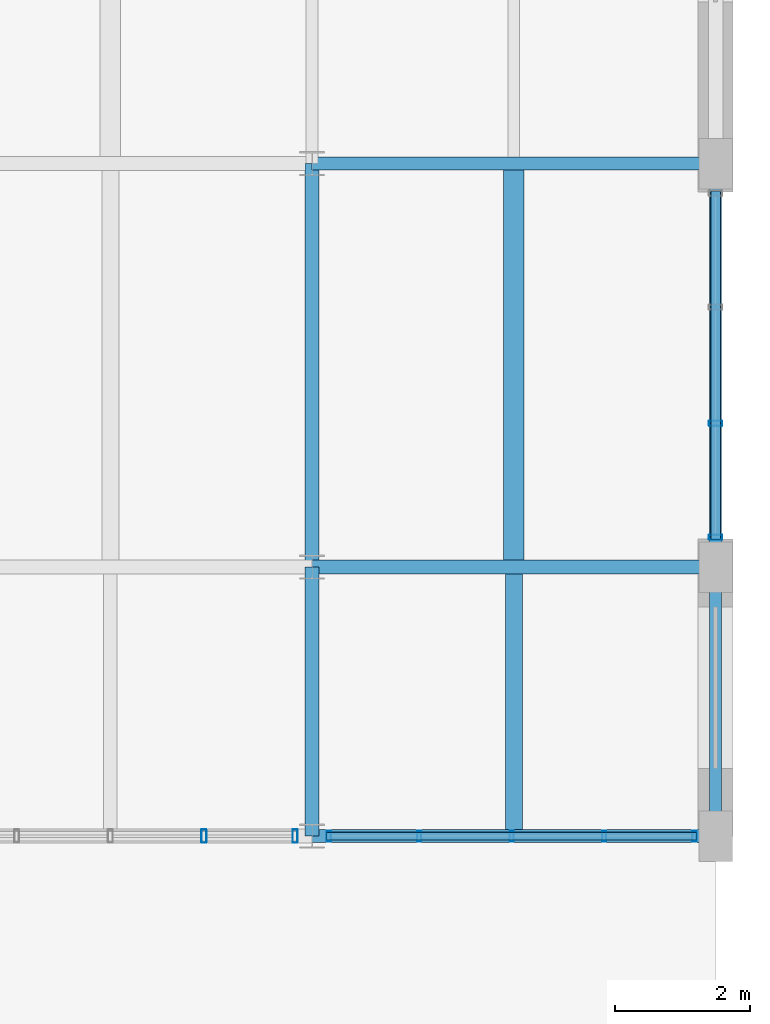
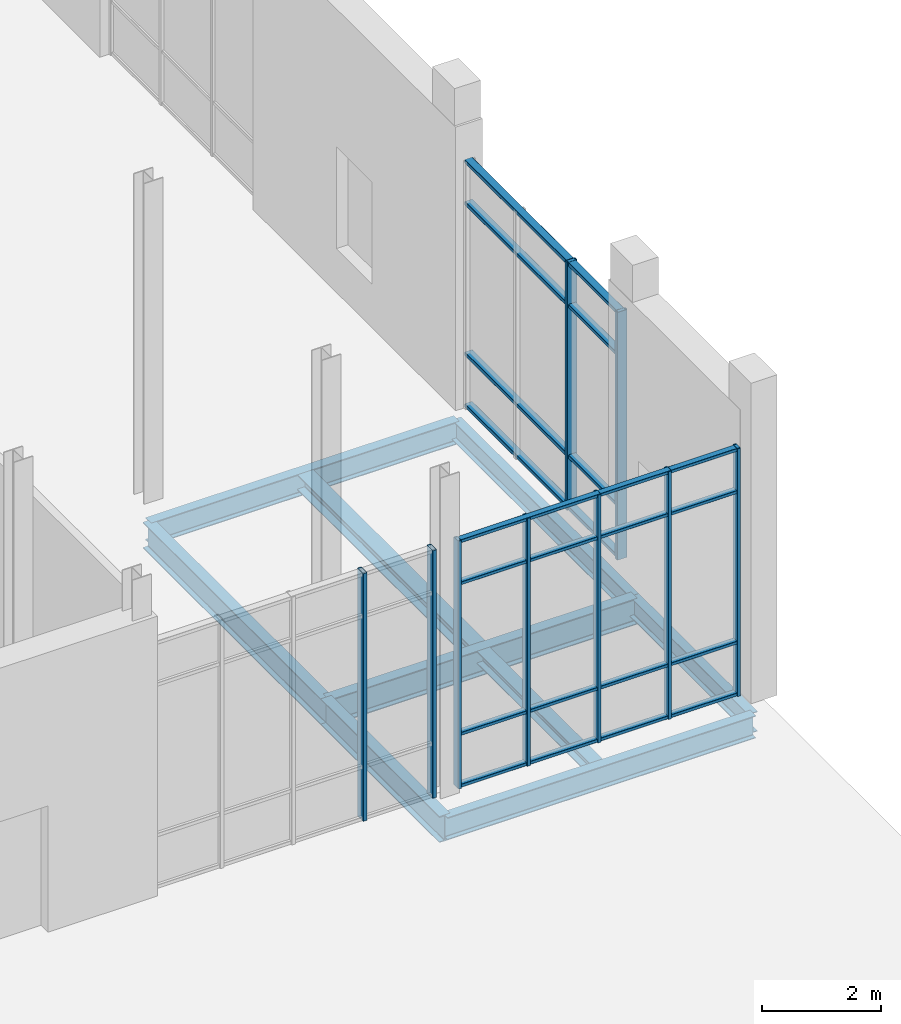
# One storey, part 77 of 140: 17 members, 9 beams, 3 elements without a shape of their own.
"""IFC4 building model written with IfcOpenShell, lengths in metres."""

from ifc_helpers import new_model, si_unit, direction, frame, origin, origin_2d, place, context, subcontext, project, spatial, hollow_rectangle, i_section, extrude, material, material_profile, profile_set, type_object, element, aggregate, save


model = new_model("IFC4")

# Units and contexts
model_context = context("Model", 3, precision=1e-05, world=origin(), true_north=direction((0.0, 1.0)))
body_context = subcontext(model_context, "Body", "Model", "MODEL_VIEW")
ifc_project = project(units=[si_unit("LENGTHUNIT", "METRE"), si_unit("AREAUNIT", "SQUARE_METRE"), si_unit("VOLUMEUNIT", "CUBIC_METRE"), si_unit("PLANEANGLEUNIT", "RADIAN"), si_unit("MASSUNIT", "GRAM", prefix="KILO")], contexts=[model_context])

# Site, building, storey
site_placement = place(None, origin())
site = spatial("IfcSite", under=ifc_project, at=site_placement, CompositionType="ELEMENT")
building_placement = place(site_placement, origin())
building = spatial("IfcBuilding", under=site, at=building_placement, Name="Verrall Gate Interchange", CompositionType="ELEMENT")
storey_placement = place(building_placement, origin())
storey = spatial("IfcBuildingStorey", under=building, at=storey_placement, Name="L01", CompositionType="ELEMENT", Elevation=0.0)

# Beams
ifc_material_1 = material(Name="Structural Steel CSA G40.21 350W", Category="steel")
ifc_material_profile_1 = material_profile(ifc_material_1, i_section(OverallWidth=0.2109375, OverallDepth=0.5390625, WebThickness=0.01171875, FlangeThickness=0.018798828125, FilletRadius=0.013916015625, at=origin_2d()), Name="W530x109")
ifc_profile_set_1 = profile_set([ifc_material_profile_1], Name="Structural Steel CSA G40.21 350W")
beam_type_1 = type_object("IfcBeamType", Name="B-10 Structural Beam W530x109", PredefinedType="BEAM", material=ifc_profile_set_1)
beam_1_placement = place(storey_placement, frame((162.0, 16.0, -0.76953125), z_axis=(1.0, 0.0, 0.0), x_axis=(0.0, 1.0, 0.0)))
element("IfcBeam", 1, at=beam_1_placement, inside=storey, type_object=beam_type_1, Name="L01 Girder BM-L01-0807 (B-10)", PredefinedType="BEAM", context=body_context, shape_type="SweptSolid", body=[
    extrude(i_section(OverallWidth=0.2109375, OverallDepth=0.5390625, WebThickness=0.01171875, FlangeThickness=0.018798828125, FilletRadius=0.013916015625, at=origin_2d()), origin(), (0.0, 0.0, 1.0), 6.0),
])
beam_2_placement = place(storey_placement, frame((162.0, 12.0, -0.76953125), z_axis=(0.0, 1.0, 0.0), x_axis=(-1.0, 0.0, 0.0)))
element("IfcBeam", 2, at=beam_2_placement, inside=storey, type_object=beam_type_1, Name="L01 Girder BM-L01-1235 (B-10)", PredefinedType="BEAM", context=body_context, shape_type="SweptSolid", body=[
    extrude(i_section(OverallWidth=0.2109375, OverallDepth=0.5390625, WebThickness=0.01171875, FlangeThickness=0.018798828125, FilletRadius=0.013916015625, at=origin_2d()), origin(), (0.0, 0.0, 1.0), 4.0),
])
beam_3_placement = place(storey_placement, frame((162.0, 16.0, -0.76953125), z_axis=(0.0, 1.0, 0.0), x_axis=(-1.0, 0.0, 0.0)))
element("IfcBeam", 3, at=beam_3_placement, inside=storey, type_object=beam_type_1, Name="L01 Girder BM-L01-1236 (B-10)", PredefinedType="BEAM", context=body_context, shape_type="SweptSolid", body=[
    extrude(i_section(OverallWidth=0.2109375, OverallDepth=0.5390625, WebThickness=0.01171875, FlangeThickness=0.018798828125, FilletRadius=0.013916015625, at=origin_2d()), origin(), (0.0, 0.0, 1.0), 6.0),
])
ifc_material_2 = material(Name="Structural Steel CSA G40.21 350W", Category="steel")
ifc_material_profile_2 = material_profile(ifc_material_2, i_section(OverallWidth=0.19189453125, OverallDepth=0.462890625, WebThickness=0.010498046875, FlangeThickness=0.017578125, FilletRadius=0.012939453125, at=origin_2d()), Name="W460x89")
ifc_profile_set_2 = profile_set([ifc_material_profile_2], Name="Structural Steel CSA G40.21 350W")
beam_type_2 = type_object("IfcBeamType", Name="B-11 Structural Beam W460x89", PredefinedType="BEAM", material=ifc_profile_set_2)
for number, where, z_axis, x_axis, name in (
    (4, (162.0, 12.0, -0.7314453125), (1.0, 0.0, 0.0), (0.0, 1.0, 0.0), "L01 Girder BM-L01-0787 (B-11)"),
    (5, (162.0, 22.0, -0.7314453125), (1.0, 0.0, 0.0), (0.0, 1.0, 0.0), "L01 Girder BM-L01-0824 (B-11)"),
):
    element("IfcBeam", number, at=place(storey_placement, frame(where, z_axis=z_axis, x_axis=x_axis)), inside=storey, type_object=beam_type_2, Name=name, PredefinedType="BEAM", context=body_context, shape_type="SweptSolid", body=[
        extrude(i_section(OverallWidth=0.19189453125, OverallDepth=0.462890625, WebThickness=0.010498046875, FlangeThickness=0.017578125, FilletRadius=0.012939453125, at=origin_2d()), origin(), (0.0, 0.0, 1.0), 6.0),
    ])
ifc_material_3 = material(Name="Structural Steel CSA G40.21 350W", Category="steel")
ifc_material_profile_3 = material_profile(ifc_material_3, i_section(OverallWidth=0.178955078125, OverallDepth=0.409912109375, WebThickness=0.0087890625, FlangeThickness=0.014404296875, FilletRadius=0.011962890625, at=origin_2d()), Name="W410x67")
ifc_profile_set_3 = profile_set([ifc_material_profile_3], Name="Structural Steel CSA G40.21 350W")
beam_type_3 = type_object("IfcBeamType", Name="B-12 Structural Beam W410x67", PredefinedType="BEAM", material=ifc_profile_set_3)
beam_4_placement = place(storey_placement, frame((168.0, 12.0, -0.705078125), z_axis=(0.0, 1.0, 0.0), x_axis=(-1.0, 0.0, 0.0)))
element("IfcBeam", 6, at=beam_4_placement, inside=storey, type_object=beam_type_3, Name="L01 Girder BM-L01-1243 (B-12)", PredefinedType="BEAM", context=body_context, shape_type="SweptSolid", body=[
    extrude(i_section(OverallWidth=0.178955078125, OverallDepth=0.409912109375, WebThickness=0.0087890625, FlangeThickness=0.014404296875, FilletRadius=0.011962890625, at=origin_2d()), origin(), (0.0, 0.0, 1.0), 4.0),
])
beam_5_placement = place(storey_placement, frame((168.0, 16.0, -0.705078125), z_axis=(0.0, 1.0, 0.0), x_axis=(-1.0, 0.0, 0.0)))
element("IfcBeam", 7, at=beam_5_placement, inside=storey, type_object=beam_type_3, Name="L01 Girder BM-L01-1244 (B-12)", PredefinedType="BEAM", context=body_context, shape_type="SweptSolid", body=[
    extrude(i_section(OverallWidth=0.178955078125, OverallDepth=0.409912109375, WebThickness=0.0087890625, FlangeThickness=0.014404296875, FilletRadius=0.011962890625, at=origin_2d()), origin(), (0.0, 0.0, 1.0), 6.0),
])

# Curtain wall, members
ifc_material_4 = material(Name="Thermally Broken Anodized Aluminium Curtain Wall Framing", Category="aluminium")
curtain_wall_type_1 = type_object("IfcCurtainWallType", Name="CW-10 Unitized Curtain Wall 5502x5100", PredefinedType="NOTDEFINED", material=ifc_material_4)
curtain_wall_1_placement = place(storey_placement, origin())
curtain_wall_1 = element("IfcCurtainWall", 8, at=curtain_wall_1_placement, inside=storey, type_object=curtain_wall_type_1, Name="L01 Unitized Curtain Wall CW-L01-040", PredefinedType="NOTDEFINED")
ifc_material_5 = material(Name="Thermally Broken Anodized Aluminium Curtain Wall Framing", Category="aluminium")
ifc_material_profile_4 = material_profile(ifc_material_5, hollow_rectangle(XDim=0.06494140625, YDim=0.159912109375, WallThickness=0.00390625, InnerFilletRadius=0.00390625, OuterFilletRadius=0.008056640625, at=origin_2d()), Name="CWM160x65x4")
ifc_profile_set_4 = profile_set([ifc_material_profile_4], Name="Thermally Broken Anodized Aluminium Curtain Wall Framing")
member_type_1 = type_object("IfcMemberType", Name="CM-01 Curtain Mullion CWM160x65x4", PredefinedType="MULLION", material=ifc_profile_set_4)
member_1_placement = place(storey_placement, frame((162.2490234375, 12.0, 0.0), z_axis=(0.0, 0.0, 1.0), x_axis=(1.0, 0.0, 0.0)))
member_1 = element("IfcMember", 9, at=member_1_placement, type_object=member_type_1, Name="CW-L01-040 Mullion 1", PredefinedType="MULLION", context=body_context, shape_type="SweptSolid", body=[
    extrude(hollow_rectangle(XDim=0.06494140625, YDim=0.159912109375, WallThickness=0.00390625, InnerFilletRadius=0.00390625, OuterFilletRadius=0.008056640625, at=origin_2d()), origin(), (0.0, 0.0, 1.0), 5.10009765625),
])
member_2_placement = place(storey_placement, frame((163.591796875, 12.0, 0.0), z_axis=(0.0, 0.0, 1.0), x_axis=(1.0, 0.0, 0.0)))
member_2 = element("IfcMember", 10, at=member_2_placement, type_object=member_type_1, Name="CW-L01-040 Mullion 2", PredefinedType="MULLION", context=body_context, shape_type="SweptSolid", body=[
    extrude(hollow_rectangle(XDim=0.06494140625, YDim=0.159912109375, WallThickness=0.00390625, InnerFilletRadius=0.00390625, OuterFilletRadius=0.008056640625, at=origin_2d()), origin(), (0.0, 0.0, 1.0), 5.10009765625),
])
member_3_placement = place(storey_placement, frame((164.96728515625, 12.0, 0.0), z_axis=(0.0, 0.0, 1.0), x_axis=(1.0, 0.0, 0.0)))
member_3 = element("IfcMember", 11, at=member_3_placement, type_object=member_type_1, Name="CW-L01-040 Mullion 3", PredefinedType="MULLION", context=body_context, shape_type="SweptSolid", body=[
    extrude(hollow_rectangle(XDim=0.06494140625, YDim=0.159912109375, WallThickness=0.00390625, InnerFilletRadius=0.00390625, OuterFilletRadius=0.008056640625, at=origin_2d()), origin(), (0.0, 0.0, 1.0), 5.10009765625),
])
member_4_placement = place(storey_placement, frame((166.342529296875, 12.0, 0.0), z_axis=(0.0, 0.0, 1.0), x_axis=(1.0, 0.0, 0.0)))
member_4 = element("IfcMember", 12, at=member_4_placement, type_object=member_type_1, Name="CW-L01-040 Mullion 4", PredefinedType="MULLION", context=body_context, shape_type="SweptSolid", body=[
    extrude(hollow_rectangle(XDim=0.06494140625, YDim=0.159912109375, WallThickness=0.00390625, InnerFilletRadius=0.00390625, OuterFilletRadius=0.008056640625, at=origin_2d()), origin(), (0.0, 0.0, 1.0), 5.10009765625),
])
member_5_placement = place(storey_placement, frame((167.685546875, 12.0, 0.0), z_axis=(0.0, 0.0, 1.0), x_axis=(1.0, 0.0, 0.0)))
member_5 = element("IfcMember", 13, at=member_5_placement, type_object=member_type_1, Name="CW-L01-040 Mullion 5", PredefinedType="MULLION", context=body_context, shape_type="SweptSolid", body=[
    extrude(hollow_rectangle(XDim=0.06494140625, YDim=0.159912109375, WallThickness=0.00390625, InnerFilletRadius=0.00390625, OuterFilletRadius=0.008056640625, at=origin_2d()), origin(), (0.0, 0.0, 1.0), 5.10009765625),
])

ifc_material_6 = material(Name="Thermally Broken Anodized Aluminium Curtain Wall Framing", Category="aluminium")
curtain_wall_type_2 = type_object("IfcCurtainWallType", Name="CW-04 Unitized Curtain Wall 5631x5100", PredefinedType="NOTDEFINED", material=ifc_material_6)
curtain_wall_2_placement = place(storey_placement, origin())
curtain_wall_2 = element("IfcCurtainWall", 14, at=curtain_wall_2_placement, inside=storey, type_object=curtain_wall_type_2, Name="L01 Unitized Curtain Wall CW-L01-039", PredefinedType="NOTDEFINED")
ifc_material_7 = material(Name="Thermally Broken Anodized Aluminium Curtain Wall Framing", Category="aluminium")
ifc_material_profile_5 = material_profile(ifc_material_7, hollow_rectangle(XDim=0.074951171875, YDim=0.199951171875, WallThickness=0.0048828125, InnerFilletRadius=0.0048828125, OuterFilletRadius=0.010009765625, at=origin_2d()), Name="CWM200x75x5")
ifc_profile_set_5 = profile_set([ifc_material_profile_5], Name="Thermally Broken Anodized Aluminium Curtain Wall Framing")
member_type_2 = type_object("IfcMemberType", Name="CM-02 Curtain Mullion CWM200x75x5", PredefinedType="MULLION", material=ifc_profile_set_5)
member_6_placement = place(storey_placement, frame((160.391845703125, 12.0, 0.0), z_axis=(0.0, 0.0, 1.0), x_axis=(1.0, 0.0, 0.0)))
member_6 = element("IfcMember", 15, at=member_6_placement, type_object=member_type_2, Name="CW-L01-039 Mullion 4", PredefinedType="MULLION", context=body_context, shape_type="SweptSolid", body=[
    extrude(hollow_rectangle(XDim=0.074951171875, YDim=0.199951171875, WallThickness=0.0048828125, InnerFilletRadius=0.0048828125, OuterFilletRadius=0.010009765625, at=origin_2d()), origin(), (0.0, 0.0, 1.0), 5.10009765625),
])
member_7_placement = place(storey_placement, frame((161.74609375, 12.0, 0.0), z_axis=(0.0, 0.0, 1.0), x_axis=(1.0, 0.0, 0.0)))
member_7 = element("IfcMember", 16, at=member_7_placement, type_object=member_type_2, Name="CW-L01-039 Mullion 5", PredefinedType="MULLION", context=body_context, shape_type="SweptSolid", body=[
    extrude(hollow_rectangle(XDim=0.074951171875, YDim=0.199951171875, WallThickness=0.0048828125, InnerFilletRadius=0.0048828125, OuterFilletRadius=0.010009765625, at=origin_2d()), origin(), (0.0, 0.0, 1.0), 5.10009765625),
])
aggregate(curtain_wall_2, [member_6, member_7])

ifc_material_8 = material(Name="Thermally Broken Anodized Aluminium Curtain Wall Framing", Category="aluminium")
curtain_wall_type_3 = type_object("IfcCurtainWallType", Name="CW-11 Unitized Curtain Wall 5186x5100", PredefinedType="NOTDEFINED", material=ifc_material_8)
curtain_wall_3_placement = place(storey_placement, origin())
curtain_wall_3 = element("IfcCurtainWall", 17, at=curtain_wall_3_placement, inside=storey, type_object=curtain_wall_type_3, Name="L01 Unitized Curtain Wall CW-L01-041", PredefinedType="NOTDEFINED")
member_8_placement = place(storey_placement, frame((168.0, 16.444580078125, 0.0), z_axis=(0.0, 0.0, 1.0), x_axis=(0.0, 1.0, 0.0)))
member_8 = element("IfcMember", 18, at=member_8_placement, type_object=member_type_2, Name="CW-L01-041 Mullion 1", PredefinedType="MULLION", context=body_context, shape_type="SweptSolid", body=[
    extrude(hollow_rectangle(XDim=0.074951171875, YDim=0.199951171875, WallThickness=0.0048828125, InnerFilletRadius=0.0048828125, OuterFilletRadius=0.010009765625, at=origin_2d()), origin(), (0.0, 0.0, 1.0), 5.10009765625),
])
member_9_placement = place(storey_placement, frame((168.0, 18.1357421875, 0.0), z_axis=(0.0, 0.0, 1.0), x_axis=(0.0, 1.0, 0.0)))
member_9 = element("IfcMember", 19, at=member_9_placement, type_object=member_type_2, Name="CW-L01-041 Mullion 2", PredefinedType="MULLION", context=body_context, shape_type="SweptSolid", body=[
    extrude(hollow_rectangle(XDim=0.074951171875, YDim=0.199951171875, WallThickness=0.0048828125, InnerFilletRadius=0.0048828125, OuterFilletRadius=0.010009765625, at=origin_2d()), origin(), (0.0, 0.0, 1.0), 5.10009765625),
])

# Member
ifc_material_9 = material(Name="Thermally Broken Anodized Aluminium Curtain Wall Framing", Category="aluminium")
ifc_material_profile_6 = material_profile(ifc_material_9, hollow_rectangle(XDim=0.1201171875, YDim=0.06494140625, WallThickness=0.00390625, InnerFilletRadius=0.00390625, OuterFilletRadius=0.008056640625, at=origin_2d()), Name="CWT120x65x4")
ifc_profile_set_6 = profile_set([ifc_material_profile_6], Name="Thermally Broken Anodized Aluminium Curtain Wall Framing")
member_type_3 = type_object("IfcMemberType", Name="CT-01 Curtain Transom CWT120x65x4", PredefinedType="USERDEFINED", material=ifc_profile_set_6)
member_10_placement = place(storey_placement, frame((162.216552734375, 12.0, 0.032470703125), z_axis=(1.0, 0.0, 0.0), x_axis=(0.0, 1.0, 0.0)))
member_10 = element("IfcMember", 20, at=member_10_placement, type_object=member_type_3, Name="CW-L01-040 Transom 1", ObjectType="TRANSOM", PredefinedType="USERDEFINED", context=body_context, shape_type="SweptSolid", body=[
    extrude(hollow_rectangle(XDim=0.1201171875, YDim=0.06494140625, WallThickness=0.00390625, InnerFilletRadius=0.00390625, OuterFilletRadius=0.008056640625, at=origin_2d()), origin(), (0.0, 0.0, 1.0), 5.50146484375),
])

member_11_placement = place(storey_placement, frame((162.216552734375, 12.0, 1.10009765625), z_axis=(1.0, 0.0, 0.0), x_axis=(0.0, 1.0, 0.0)))
member_11 = element("IfcMember", 21, at=member_11_placement, type_object=member_type_3, Name="CW-L01-040 Transom 2", ObjectType="TRANSOM", PredefinedType="USERDEFINED", context=body_context, shape_type="SweptSolid", body=[
    extrude(hollow_rectangle(XDim=0.1201171875, YDim=0.06494140625, WallThickness=0.00390625, InnerFilletRadius=0.00390625, OuterFilletRadius=0.008056640625, at=origin_2d()), origin(), (0.0, 0.0, 1.0), 5.50146484375),
])

member_12_placement = place(storey_placement, frame((162.216552734375, 12.0, 4.199951171875), z_axis=(1.0, 0.0, 0.0), x_axis=(0.0, 1.0, 0.0)))
member_12 = element("IfcMember", 22, at=member_12_placement, type_object=member_type_3, Name="CW-L01-040 Transom 3", ObjectType="TRANSOM", PredefinedType="USERDEFINED", context=body_context, shape_type="SweptSolid", body=[
    extrude(hollow_rectangle(XDim=0.1201171875, YDim=0.06494140625, WallThickness=0.00390625, InnerFilletRadius=0.00390625, OuterFilletRadius=0.008056640625, at=origin_2d()), origin(), (0.0, 0.0, 1.0), 5.50146484375),
])

member_13_placement = place(storey_placement, frame((162.216552734375, 12.0, 5.0673828125), z_axis=(1.0, 0.0, 0.0), x_axis=(0.0, 1.0, 0.0)))
member_13 = element("IfcMember", 23, at=member_13_placement, type_object=member_type_3, Name="CW-L01-040 Transom 4", ObjectType="TRANSOM", PredefinedType="USERDEFINED", context=body_context, shape_type="SweptSolid", body=[
    extrude(hollow_rectangle(XDim=0.1201171875, YDim=0.06494140625, WallThickness=0.00390625, InnerFilletRadius=0.00390625, OuterFilletRadius=0.008056640625, at=origin_2d()), origin(), (0.0, 0.0, 1.0), 5.50146484375),
])

aggregate(curtain_wall_1, [member_1, member_2, member_3, member_4, member_5, member_10, member_11, member_12, member_13])

ifc_material_10 = material(Name="Thermally Broken Anodized Aluminium Curtain Wall Framing", Category="aluminium")
ifc_material_profile_7 = material_profile(ifc_material_10, hollow_rectangle(XDim=0.14990234375, YDim=0.074951171875, WallThickness=0.00439453125, InnerFilletRadius=0.00439453125, OuterFilletRadius=0.009033203125, at=origin_2d()), Name="CWT150x75x4.5")
ifc_profile_set_7 = profile_set([ifc_material_profile_7], Name="Thermally Broken Anodized Aluminium Curtain Wall Framing")
member_type_4 = type_object("IfcMemberType", Name="CT-02 Curtain Transom CWT150x75x4.5", PredefinedType="USERDEFINED", material=ifc_profile_set_7)
member_14_placement = place(storey_placement, frame((168.0, 16.406982421875, 0.03759765625), z_axis=(0.0, 1.0, 0.0), x_axis=(-1.0, 0.0, 0.0)))
member_14 = element("IfcMember", 24, at=member_14_placement, type_object=member_type_4, Name="CW-L01-041 Transom 1", ObjectType="TRANSOM", PredefinedType="USERDEFINED", context=body_context, shape_type="SweptSolid", body=[
    extrude(hollow_rectangle(XDim=0.14990234375, YDim=0.074951171875, WallThickness=0.00439453125, InnerFilletRadius=0.00439453125, OuterFilletRadius=0.009033203125, at=origin_2d()), origin(), (0.0, 0.0, 1.0), 5.18603515625),
])

member_15_placement = place(storey_placement, frame((168.0, 16.406982421875, 1.10009765625), z_axis=(0.0, 1.0, 0.0), x_axis=(-1.0, 0.0, 0.0)))
member_15 = element("IfcMember", 25, at=member_15_placement, type_object=member_type_4, Name="CW-L01-041 Transom 2", ObjectType="TRANSOM", PredefinedType="USERDEFINED", context=body_context, shape_type="SweptSolid", body=[
    extrude(hollow_rectangle(XDim=0.14990234375, YDim=0.074951171875, WallThickness=0.00439453125, InnerFilletRadius=0.00439453125, OuterFilletRadius=0.009033203125, at=origin_2d()), origin(), (0.0, 0.0, 1.0), 5.18603515625),
])

member_16_placement = place(storey_placement, frame((168.0, 16.406982421875, 4.199951171875), z_axis=(0.0, 1.0, 0.0), x_axis=(-1.0, 0.0, 0.0)))
member_16 = element("IfcMember", 26, at=member_16_placement, type_object=member_type_4, Name="CW-L01-041 Transom 3", ObjectType="TRANSOM", PredefinedType="USERDEFINED", context=body_context, shape_type="SweptSolid", body=[
    extrude(hollow_rectangle(XDim=0.14990234375, YDim=0.074951171875, WallThickness=0.00439453125, InnerFilletRadius=0.00439453125, OuterFilletRadius=0.009033203125, at=origin_2d()), origin(), (0.0, 0.0, 1.0), 5.18603515625),
])

member_17_placement = place(storey_placement, frame((168.0, 16.406982421875, 5.0625), z_axis=(0.0, 1.0, 0.0), x_axis=(-1.0, 0.0, 0.0)))
member_17 = element("IfcMember", 27, at=member_17_placement, type_object=member_type_4, Name="CW-L01-041 Transom 4", ObjectType="TRANSOM", PredefinedType="USERDEFINED", context=body_context, shape_type="SweptSolid", body=[
    extrude(hollow_rectangle(XDim=0.14990234375, YDim=0.074951171875, WallThickness=0.00439453125, InnerFilletRadius=0.00439453125, OuterFilletRadius=0.009033203125, at=origin_2d()), origin(), (0.0, 0.0, 1.0), 5.18603515625),
])

aggregate(curtain_wall_3, [member_8, member_9, member_14, member_15, member_16, member_17])

# Beams
ifc_material_11 = material(Name="Structural Steel CSA G40.21 350W", Category="steel")
ifc_material_profile_8 = material_profile(ifc_material_11, i_section(OverallWidth=0.306884765625, OverallDepth=0.31396484375, WebThickness=0.011962890625, FlangeThickness=0.018798828125, FilletRadius=0.013916015625, at=origin_2d()), Name="W310x118")
ifc_profile_set_8 = profile_set([ifc_material_profile_8], Name="Structural Steel CSA G40.21 350W")
beam_type_4 = type_object("IfcBeamType", Name="J-02 Floor Joist W310x118", PredefinedType="JOIST", material=ifc_profile_set_8)
beam_6_placement = place(storey_placement, frame((165.0, 16.10546875, -0.656982421875), z_axis=(0.0, 1.0, 0.0), x_axis=(-1.0, 0.0, 0.0)))
element("IfcBeam", 28, at=beam_6_placement, inside=storey, type_object=beam_type_4, Name="L01 Secondary Floor Joist JST-L01-1310", PredefinedType="JOIST", context=body_context, shape_type="SweptSolid", body=[
    extrude(i_section(OverallWidth=0.306884765625, OverallDepth=0.31396484375, WebThickness=0.011962890625, FlangeThickness=0.018798828125, FilletRadius=0.013916015625, at=origin_2d()), origin(), (0.0, 0.0, 1.0), 5.798583984375),
])
ifc_material_12 = material(Name="Structural Steel CSA G40.21 350W", Category="steel")
ifc_material_profile_9 = material_profile(ifc_material_12, i_section(OverallWidth=0.25390625, OverallDepth=0.2529296875, WebThickness=0.008544921875, FlangeThickness=0.01416015625, FilletRadius=0.011962890625, at=origin_2d()), Name="W250x73")
ifc_profile_set_9 = profile_set([ifc_material_profile_9], Name="Structural Steel CSA G40.21 350W")
beam_type_5 = type_object("IfcBeamType", Name="J-05 Floor Joist W250x73", PredefinedType="JOIST", material=ifc_profile_set_9)
beam_7_placement = place(storey_placement, frame((165.0, 12.095947265625, -0.62646484375), z_axis=(0.0, 1.0, 0.0), x_axis=(-1.0, 0.0, 0.0)))
element("IfcBeam", 29, at=beam_7_placement, inside=storey, type_object=beam_type_5, Name="L01 Secondary Floor Joist JST-L01-1298", PredefinedType="JOIST", context=body_context, shape_type="SweptSolid", body=[
    extrude(i_section(OverallWidth=0.25390625, OverallDepth=0.2529296875, WebThickness=0.008544921875, FlangeThickness=0.01416015625, FilletRadius=0.011962890625, at=origin_2d()), origin(), (0.0, 0.0, 1.0), 3.798583984375),
])

save(model, "model.ifc")
